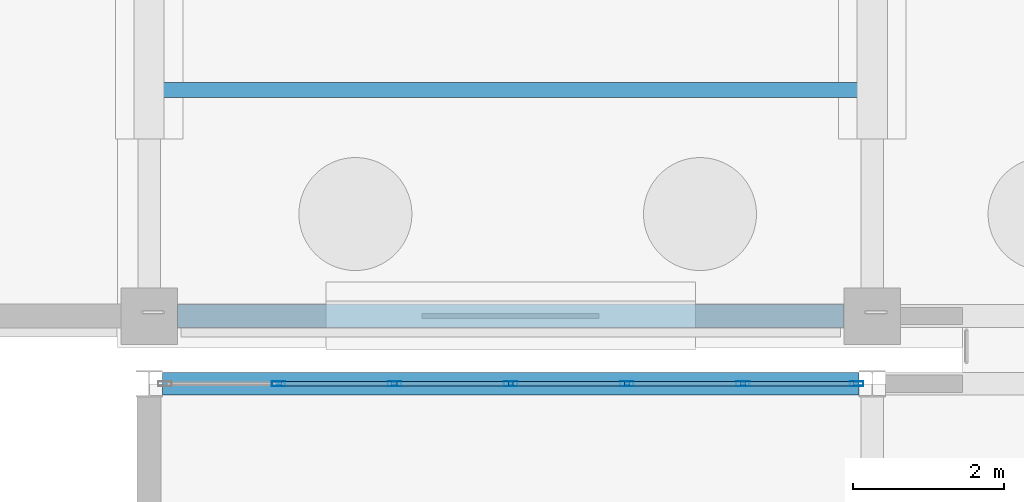
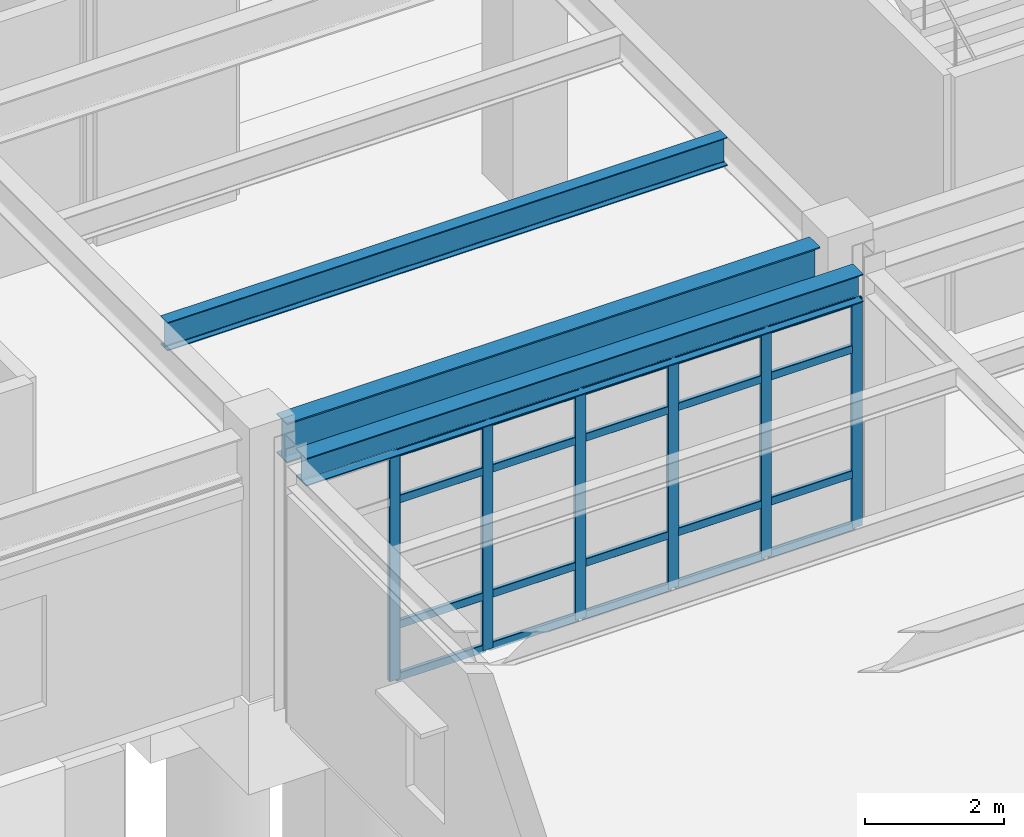
# One storey, part 36 of 139: 26 members, 3 beams, 1 element without a shape of its own.
"""IFC4 building model written with IfcOpenShell, lengths in metres."""

from ifc_helpers import new_model, si_unit, direction, frame, origin, origin_2d, place, context, subcontext, project, spatial, hollow_rectangle, i_section, extrude, material, material_profile, profile_set, type_object, element, aggregate, save


model = new_model("IFC4")

# Units and contexts
model_context = context("Model", 3, precision=1e-05, world=origin(), true_north=direction((0.0, 1.0)))
body_context = subcontext(model_context, "Body", "Model", "MODEL_VIEW")
ifc_project = project(units=[si_unit("LENGTHUNIT", "METRE"), si_unit("AREAUNIT", "SQUARE_METRE"), si_unit("VOLUMEUNIT", "CUBIC_METRE"), si_unit("PLANEANGLEUNIT", "RADIAN"), si_unit("MASSUNIT", "GRAM", prefix="KILO")], contexts=[model_context])

# Site, building, storey
site_placement = place(None, origin())
site = spatial("IfcSite", under=ifc_project, at=site_placement, CompositionType="ELEMENT")
building_placement = place(site_placement, origin())
building = spatial("IfcBuilding", under=site, at=building_placement, Name="Canglan Escarpment Cableway Terminal", CompositionType="ELEMENT")
storey_placement = place(building_placement, frame((0.0, 0.0, 14.39990234375)))
storey = spatial("IfcBuildingStorey", under=building, at=storey_placement, Name="L03", CompositionType="ELEMENT", Elevation=14.39990234375)

# Beams
ifc_material_1 = material(Name="Steel Q355B", Category="steel")
ifc_material_profile_1 = material_profile(ifc_material_1, i_section(OverallWidth=0.300048828125, OverallDepth=0.488037109375, WebThickness=0.010986328125, FlangeThickness=0.01806640625, FilletRadius=0.02587890625, at=origin_2d()), Name="HM 488x300x11x18")
ifc_profile_set_1 = profile_set([ifc_material_profile_1], Name="Steel Q355B")
beam_type_1 = type_object("IfcBeamType", Name="BM-HM488", PredefinedType="BEAM", material=ifc_profile_set_1)
beam_1_placement = place(storey_placement, frame((147.375, 33.10009765625, 4.256103515625), z_axis=(1.0, 0.0, 0.0), x_axis=(0.0, 1.0, 0.0)))
element("IfcBeam", 1, at=beam_1_placement, inside=storey, type_object=beam_type_1, Name="Primary structural girder B-09", PredefinedType="BEAM", context=body_context, shape_type="SweptSolid", body=[
    extrude(i_section(OverallWidth=0.300048828125, OverallDepth=0.488037109375, WebThickness=0.010986328125, FlangeThickness=0.01806640625, FilletRadius=0.02587890625, at=origin_2d()), origin(), (0.0, 0.0, 1.0), 9.25),
])
ifc_material_2 = material(Name="Steel Q355C", Category="steel")
ifc_material_profile_2 = material_profile(ifc_material_2, i_section(OverallWidth=0.300048828125, OverallDepth=0.699951171875, WebThickness=0.012939453125, FlangeThickness=0.02392578125, FilletRadius=0.028076171875, at=origin_2d()), Name="HN 700x300x13x24")
ifc_profile_set_2 = profile_set([ifc_material_profile_2], Name="Steel Q355C")
beam_type_2 = type_object("IfcBeamType", Name="BM-HN700", PredefinedType="BEAM", material=ifc_profile_set_2)
beam_2_placement = place(storey_placement, frame((147.574951171875, 34.0, 4.150146484375), z_axis=(1.0, 0.0, 0.0), x_axis=(0.0, 1.0, 0.0)))
element("IfcBeam", 2, at=beam_2_placement, inside=storey, type_object=beam_type_2, Name="Primary structural girder B-06", PredefinedType="BEAM", context=body_context, shape_type="SweptSolid", body=[
    extrude(i_section(OverallWidth=0.300048828125, OverallDepth=0.699951171875, WebThickness=0.012939453125, FlangeThickness=0.02392578125, FilletRadius=0.028076171875, at=origin_2d()), origin(), (0.0, 0.0, 1.0), 8.85009765625),
])

# Curtain wall, members
ifc_material_3 = material(Name="Anodized bronze aluminium and Low-E double glazing", Category="aluminium")
curtain_wall_type = type_object("IfcCurtainWallType", Name="CW-BAY-9250x4000", PredefinedType="NOTDEFINED", material=ifc_material_3)
curtain_wall_placement = place(storey_placement, origin())
curtain_wall = element("IfcCurtainWall", 3, at=curtain_wall_placement, inside=storey, type_object=curtain_wall_type, Name="Classical bay-between-piers glazed curtain wall CW-32", PredefinedType="NOTDEFINED")
ifc_material_4 = material(Name="Thermally broken anodized aluminium 6063-T6", Category="aluminium")
ifc_material_profile_3 = material_profile(ifc_material_4, hollow_rectangle(XDim=0.06494140625, YDim=0.179931640625, WallThickness=0.00390625, InnerFilletRadius=0.00390625, OuterFilletRadius=0.008056640625, at=origin_2d()), Name="ALU-MULL 65x180x4")
ifc_profile_set_3 = profile_set([ifc_material_profile_3], Name="Thermally broken anodized aluminium 6063-T6")
member_type_1 = type_object("IfcMemberType", Name="CWM-03", PredefinedType="MULLION", material=ifc_profile_set_3)
member_1_placement = place(storey_placement, frame((156.592529296875, 33.10009765625, 0.0), z_axis=(0.0, 0.0, 1.0), x_axis=(0.0, -1.0, 0.0)))
member_1 = element("IfcMember", 4, at=member_1_placement, type_object=member_type_1, Name="CW-32 mullion 1", PredefinedType="MULLION", context=body_context, shape_type="SweptSolid", body=[
    extrude(hollow_rectangle(XDim=0.06494140625, YDim=0.179931640625, WallThickness=0.00390625, InnerFilletRadius=0.00390625, OuterFilletRadius=0.008056640625, at=origin_2d()), origin(), (0.0, 0.0, 1.0), 3.9970703125),
])
member_2_placement = place(storey_placement, frame((155.083251953125, 33.10009765625, 0.0), z_axis=(0.0, 0.0, 1.0), x_axis=(0.0, -1.0, 0.0)))
member_2 = element("IfcMember", 5, at=member_2_placement, type_object=member_type_1, Name="CW-32 mullion 2", PredefinedType="MULLION", context=body_context, shape_type="SweptSolid", body=[
    extrude(hollow_rectangle(XDim=0.06494140625, YDim=0.179931640625, WallThickness=0.00390625, InnerFilletRadius=0.00390625, OuterFilletRadius=0.008056640625, at=origin_2d()), origin(), (0.0, 0.0, 1.0), 3.9970703125),
])
member_3_placement = place(storey_placement, frame((153.541748046875, 33.10009765625, 0.0), z_axis=(0.0, 0.0, 1.0), x_axis=(0.0, -1.0, 0.0)))
member_3 = element("IfcMember", 6, at=member_3_placement, type_object=member_type_1, Name="CW-32 mullion 3", PredefinedType="MULLION", context=body_context, shape_type="SweptSolid", body=[
    extrude(hollow_rectangle(XDim=0.06494140625, YDim=0.179931640625, WallThickness=0.00390625, InnerFilletRadius=0.00390625, OuterFilletRadius=0.008056640625, at=origin_2d()), origin(), (0.0, 0.0, 1.0), 3.9970703125),
])
member_4_placement = place(storey_placement, frame((152.0, 33.10009765625, 0.0), z_axis=(0.0, 0.0, 1.0), x_axis=(0.0, -1.0, 0.0)))
member_4 = element("IfcMember", 7, at=member_4_placement, type_object=member_type_1, Name="CW-32 mullion 4", PredefinedType="MULLION", context=body_context, shape_type="SweptSolid", body=[
    extrude(hollow_rectangle(XDim=0.06494140625, YDim=0.179931640625, WallThickness=0.00390625, InnerFilletRadius=0.00390625, OuterFilletRadius=0.008056640625, at=origin_2d()), origin(), (0.0, 0.0, 1.0), 3.9970703125),
])
member_5_placement = place(storey_placement, frame((150.458251953125, 33.10009765625, 0.0), z_axis=(0.0, 0.0, 1.0), x_axis=(0.0, -1.0, 0.0)))
member_5 = element("IfcMember", 8, at=member_5_placement, type_object=member_type_1, Name="CW-32 mullion 5", PredefinedType="MULLION", context=body_context, shape_type="SweptSolid", body=[
    extrude(hollow_rectangle(XDim=0.06494140625, YDim=0.179931640625, WallThickness=0.00390625, InnerFilletRadius=0.00390625, OuterFilletRadius=0.008056640625, at=origin_2d()), origin(), (0.0, 0.0, 1.0), 3.9970703125),
])
member_6_placement = place(storey_placement, frame((148.916748046875, 33.10009765625, 0.0), z_axis=(0.0, 0.0, 1.0), x_axis=(0.0, -1.0, 0.0)))
member_6 = element("IfcMember", 9, at=member_6_placement, type_object=member_type_1, Name="CW-32 mullion 6", PredefinedType="MULLION", context=body_context, shape_type="SweptSolid", body=[
    extrude(hollow_rectangle(XDim=0.06494140625, YDim=0.179931640625, WallThickness=0.00390625, InnerFilletRadius=0.00390625, OuterFilletRadius=0.008056640625, at=origin_2d()), origin(), (0.0, 0.0, 1.0), 3.9970703125),
])
ifc_material_profile_4 = material_profile(ifc_material_4, hollow_rectangle(XDim=0.06494140625, YDim=0.139892578125, WallThickness=0.00341796875, InnerFilletRadius=0.00341796875, OuterFilletRadius=0.007080078125, at=origin_2d()), Name="ALU-TRAN 65x140x3.5")
ifc_profile_set_4 = profile_set([ifc_material_profile_4], Name="Thermally broken anodized aluminium 6063-T6")
member_type_2 = type_object("IfcMemberType", Name="CWT-03", PredefinedType="USERDEFINED", material=ifc_profile_set_4)
member_7_placement = place(storey_placement, frame((156.56005859375, 33.10009765625, 0.03271484375), z_axis=(-1.0, 0.0, 0.0), x_axis=(0.0, -1.0, 0.0)))
member_7 = element("IfcMember", 10, at=member_7_placement, type_object=member_type_2, Name="CW-32 transom 1.1", ObjectType="TRANSOM", PredefinedType="USERDEFINED", context=body_context, shape_type="SweptSolid", body=[
    extrude(hollow_rectangle(XDim=0.06494140625, YDim=0.139892578125, WallThickness=0.00341796875, InnerFilletRadius=0.00341796875, OuterFilletRadius=0.007080078125, at=origin_2d()), origin(), (0.0, 0.0, 1.0), 1.4443359375),
])
member_8_placement = place(storey_placement, frame((156.56005859375, 33.10009765625, 0.9501953125), z_axis=(-1.0, 0.0, 0.0), x_axis=(0.0, -1.0, 0.0)))
member_8 = element("IfcMember", 11, at=member_8_placement, type_object=member_type_2, Name="CW-32 transom 1.2", ObjectType="TRANSOM", PredefinedType="USERDEFINED", context=body_context, shape_type="SweptSolid", body=[
    extrude(hollow_rectangle(XDim=0.06494140625, YDim=0.139892578125, WallThickness=0.00341796875, InnerFilletRadius=0.00341796875, OuterFilletRadius=0.007080078125, at=origin_2d()), origin(), (0.0, 0.0, 1.0), 1.4443359375),
])
member_9_placement = place(storey_placement, frame((156.56005859375, 33.10009765625, 3.147216796875), z_axis=(-1.0, 0.0, 0.0), x_axis=(0.0, -1.0, 0.0)))
member_9 = element("IfcMember", 12, at=member_9_placement, type_object=member_type_2, Name="CW-32 transom 1.3", ObjectType="TRANSOM", PredefinedType="USERDEFINED", context=body_context, shape_type="SweptSolid", body=[
    extrude(hollow_rectangle(XDim=0.06494140625, YDim=0.139892578125, WallThickness=0.00341796875, InnerFilletRadius=0.00341796875, OuterFilletRadius=0.007080078125, at=origin_2d()), origin(), (0.0, 0.0, 1.0), 1.4443359375),
])
member_10_placement = place(storey_placement, frame((156.56005859375, 33.10009765625, 3.964599609375), z_axis=(-1.0, 0.0, 0.0), x_axis=(0.0, -1.0, 0.0)))
member_10 = element("IfcMember", 13, at=member_10_placement, type_object=member_type_2, Name="CW-32 transom 1.4", ObjectType="TRANSOM", PredefinedType="USERDEFINED", context=body_context, shape_type="SweptSolid", body=[
    extrude(hollow_rectangle(XDim=0.06494140625, YDim=0.139892578125, WallThickness=0.00341796875, InnerFilletRadius=0.00341796875, OuterFilletRadius=0.007080078125, at=origin_2d()), origin(), (0.0, 0.0, 1.0), 1.4443359375),
])
member_11_placement = place(storey_placement, frame((155.05078125, 33.10009765625, 0.03271484375), z_axis=(-1.0, 0.0, 0.0), x_axis=(0.0, -1.0, 0.0)))
member_11 = element("IfcMember", 14, at=member_11_placement, type_object=member_type_2, Name="CW-32 transom 2.1", ObjectType="TRANSOM", PredefinedType="USERDEFINED", context=body_context, shape_type="SweptSolid", body=[
    extrude(hollow_rectangle(XDim=0.06494140625, YDim=0.139892578125, WallThickness=0.00341796875, InnerFilletRadius=0.00341796875, OuterFilletRadius=0.007080078125, at=origin_2d()), origin(), (0.0, 0.0, 1.0), 1.4765625),
])
member_12_placement = place(storey_placement, frame((155.05078125, 33.10009765625, 0.9501953125), z_axis=(-1.0, 0.0, 0.0), x_axis=(0.0, -1.0, 0.0)))
member_12 = element("IfcMember", 15, at=member_12_placement, type_object=member_type_2, Name="CW-32 transom 2.2", ObjectType="TRANSOM", PredefinedType="USERDEFINED", context=body_context, shape_type="SweptSolid", body=[
    extrude(hollow_rectangle(XDim=0.06494140625, YDim=0.139892578125, WallThickness=0.00341796875, InnerFilletRadius=0.00341796875, OuterFilletRadius=0.007080078125, at=origin_2d()), origin(), (0.0, 0.0, 1.0), 1.4765625),
])
member_13_placement = place(storey_placement, frame((155.05078125, 33.10009765625, 3.147216796875), z_axis=(-1.0, 0.0, 0.0), x_axis=(0.0, -1.0, 0.0)))
member_13 = element("IfcMember", 16, at=member_13_placement, type_object=member_type_2, Name="CW-32 transom 2.3", ObjectType="TRANSOM", PredefinedType="USERDEFINED", context=body_context, shape_type="SweptSolid", body=[
    extrude(hollow_rectangle(XDim=0.06494140625, YDim=0.139892578125, WallThickness=0.00341796875, InnerFilletRadius=0.00341796875, OuterFilletRadius=0.007080078125, at=origin_2d()), origin(), (0.0, 0.0, 1.0), 1.4765625),
])
member_14_placement = place(storey_placement, frame((155.05078125, 33.10009765625, 3.964599609375), z_axis=(-1.0, 0.0, 0.0), x_axis=(0.0, -1.0, 0.0)))
member_14 = element("IfcMember", 17, at=member_14_placement, type_object=member_type_2, Name="CW-32 transom 2.4", ObjectType="TRANSOM", PredefinedType="USERDEFINED", context=body_context, shape_type="SweptSolid", body=[
    extrude(hollow_rectangle(XDim=0.06494140625, YDim=0.139892578125, WallThickness=0.00341796875, InnerFilletRadius=0.00341796875, OuterFilletRadius=0.007080078125, at=origin_2d()), origin(), (0.0, 0.0, 1.0), 1.4765625),
])
member_15_placement = place(storey_placement, frame((153.50927734375, 33.10009765625, 0.03271484375), z_axis=(-1.0, 0.0, 0.0), x_axis=(0.0, -1.0, 0.0)))
member_15 = element("IfcMember", 18, at=member_15_placement, type_object=member_type_2, Name="CW-32 transom 3.1", ObjectType="TRANSOM", PredefinedType="USERDEFINED", context=body_context, shape_type="SweptSolid", body=[
    extrude(hollow_rectangle(XDim=0.06494140625, YDim=0.139892578125, WallThickness=0.00341796875, InnerFilletRadius=0.00341796875, OuterFilletRadius=0.007080078125, at=origin_2d()), origin(), (0.0, 0.0, 1.0), 1.476806640625),
])
member_16_placement = place(storey_placement, frame((153.50927734375, 33.10009765625, 0.9501953125), z_axis=(-1.0, 0.0, 0.0), x_axis=(0.0, -1.0, 0.0)))
member_16 = element("IfcMember", 19, at=member_16_placement, type_object=member_type_2, Name="CW-32 transom 3.2", ObjectType="TRANSOM", PredefinedType="USERDEFINED", context=body_context, shape_type="SweptSolid", body=[
    extrude(hollow_rectangle(XDim=0.06494140625, YDim=0.139892578125, WallThickness=0.00341796875, InnerFilletRadius=0.00341796875, OuterFilletRadius=0.007080078125, at=origin_2d()), origin(), (0.0, 0.0, 1.0), 1.476806640625),
])
member_17_placement = place(storey_placement, frame((153.50927734375, 33.10009765625, 3.147216796875), z_axis=(-1.0, 0.0, 0.0), x_axis=(0.0, -1.0, 0.0)))
member_17 = element("IfcMember", 20, at=member_17_placement, type_object=member_type_2, Name="CW-32 transom 3.3", ObjectType="TRANSOM", PredefinedType="USERDEFINED", context=body_context, shape_type="SweptSolid", body=[
    extrude(hollow_rectangle(XDim=0.06494140625, YDim=0.139892578125, WallThickness=0.00341796875, InnerFilletRadius=0.00341796875, OuterFilletRadius=0.007080078125, at=origin_2d()), origin(), (0.0, 0.0, 1.0), 1.476806640625),
])
member_18_placement = place(storey_placement, frame((153.50927734375, 33.10009765625, 3.964599609375), z_axis=(-1.0, 0.0, 0.0), x_axis=(0.0, -1.0, 0.0)))
member_18 = element("IfcMember", 21, at=member_18_placement, type_object=member_type_2, Name="CW-32 transom 3.4", ObjectType="TRANSOM", PredefinedType="USERDEFINED", context=body_context, shape_type="SweptSolid", body=[
    extrude(hollow_rectangle(XDim=0.06494140625, YDim=0.139892578125, WallThickness=0.00341796875, InnerFilletRadius=0.00341796875, OuterFilletRadius=0.007080078125, at=origin_2d()), origin(), (0.0, 0.0, 1.0), 1.476806640625),
])
member_19_placement = place(storey_placement, frame((151.967529296875, 33.10009765625, 0.03271484375), z_axis=(-1.0, 0.0, 0.0), x_axis=(0.0, -1.0, 0.0)))
member_19 = element("IfcMember", 22, at=member_19_placement, type_object=member_type_2, Name="CW-32 transom 4.1", ObjectType="TRANSOM", PredefinedType="USERDEFINED", context=body_context, shape_type="SweptSolid", body=[
    extrude(hollow_rectangle(XDim=0.06494140625, YDim=0.139892578125, WallThickness=0.00341796875, InnerFilletRadius=0.00341796875, OuterFilletRadius=0.007080078125, at=origin_2d()), origin(), (0.0, 0.0, 1.0), 1.476806640625),
])
member_20_placement = place(storey_placement, frame((151.967529296875, 33.10009765625, 0.9501953125), z_axis=(-1.0, 0.0, 0.0), x_axis=(0.0, -1.0, 0.0)))
member_20 = element("IfcMember", 23, at=member_20_placement, type_object=member_type_2, Name="CW-32 transom 4.2", ObjectType="TRANSOM", PredefinedType="USERDEFINED", context=body_context, shape_type="SweptSolid", body=[
    extrude(hollow_rectangle(XDim=0.06494140625, YDim=0.139892578125, WallThickness=0.00341796875, InnerFilletRadius=0.00341796875, OuterFilletRadius=0.007080078125, at=origin_2d()), origin(), (0.0, 0.0, 1.0), 1.476806640625),
])
member_21_placement = place(storey_placement, frame((151.967529296875, 33.10009765625, 3.147216796875), z_axis=(-1.0, 0.0, 0.0), x_axis=(0.0, -1.0, 0.0)))
member_21 = element("IfcMember", 24, at=member_21_placement, type_object=member_type_2, Name="CW-32 transom 4.3", ObjectType="TRANSOM", PredefinedType="USERDEFINED", context=body_context, shape_type="SweptSolid", body=[
    extrude(hollow_rectangle(XDim=0.06494140625, YDim=0.139892578125, WallThickness=0.00341796875, InnerFilletRadius=0.00341796875, OuterFilletRadius=0.007080078125, at=origin_2d()), origin(), (0.0, 0.0, 1.0), 1.476806640625),
])
member_22_placement = place(storey_placement, frame((151.967529296875, 33.10009765625, 3.964599609375), z_axis=(-1.0, 0.0, 0.0), x_axis=(0.0, -1.0, 0.0)))
member_22 = element("IfcMember", 25, at=member_22_placement, type_object=member_type_2, Name="CW-32 transom 4.4", ObjectType="TRANSOM", PredefinedType="USERDEFINED", context=body_context, shape_type="SweptSolid", body=[
    extrude(hollow_rectangle(XDim=0.06494140625, YDim=0.139892578125, WallThickness=0.00341796875, InnerFilletRadius=0.00341796875, OuterFilletRadius=0.007080078125, at=origin_2d()), origin(), (0.0, 0.0, 1.0), 1.476806640625),
])
member_23_placement = place(storey_placement, frame((150.42578125, 33.10009765625, 0.03271484375), z_axis=(-1.0, 0.0, 0.0), x_axis=(0.0, -1.0, 0.0)))
member_23 = element("IfcMember", 26, at=member_23_placement, type_object=member_type_2, Name="CW-32 transom 5.1", ObjectType="TRANSOM", PredefinedType="USERDEFINED", context=body_context, shape_type="SweptSolid", body=[
    extrude(hollow_rectangle(XDim=0.06494140625, YDim=0.139892578125, WallThickness=0.00341796875, InnerFilletRadius=0.00341796875, OuterFilletRadius=0.007080078125, at=origin_2d()), origin(), (0.0, 0.0, 1.0), 1.4765625),
])
member_24_placement = place(storey_placement, frame((150.42578125, 33.10009765625, 0.9501953125), z_axis=(-1.0, 0.0, 0.0), x_axis=(0.0, -1.0, 0.0)))
member_24 = element("IfcMember", 27, at=member_24_placement, type_object=member_type_2, Name="CW-32 transom 5.2", ObjectType="TRANSOM", PredefinedType="USERDEFINED", context=body_context, shape_type="SweptSolid", body=[
    extrude(hollow_rectangle(XDim=0.06494140625, YDim=0.139892578125, WallThickness=0.00341796875, InnerFilletRadius=0.00341796875, OuterFilletRadius=0.007080078125, at=origin_2d()), origin(), (0.0, 0.0, 1.0), 1.4765625),
])
member_25_placement = place(storey_placement, frame((150.42578125, 33.10009765625, 3.147216796875), z_axis=(-1.0, 0.0, 0.0), x_axis=(0.0, -1.0, 0.0)))
member_25 = element("IfcMember", 28, at=member_25_placement, type_object=member_type_2, Name="CW-32 transom 5.3", ObjectType="TRANSOM", PredefinedType="USERDEFINED", context=body_context, shape_type="SweptSolid", body=[
    extrude(hollow_rectangle(XDim=0.06494140625, YDim=0.139892578125, WallThickness=0.00341796875, InnerFilletRadius=0.00341796875, OuterFilletRadius=0.007080078125, at=origin_2d()), origin(), (0.0, 0.0, 1.0), 1.4765625),
])
member_26_placement = place(storey_placement, frame((150.42578125, 33.10009765625, 3.964599609375), z_axis=(-1.0, 0.0, 0.0), x_axis=(0.0, -1.0, 0.0)))
member_26 = element("IfcMember", 29, at=member_26_placement, type_object=member_type_2, Name="CW-32 transom 5.4", ObjectType="TRANSOM", PredefinedType="USERDEFINED", context=body_context, shape_type="SweptSolid", body=[
    extrude(hollow_rectangle(XDim=0.06494140625, YDim=0.139892578125, WallThickness=0.00341796875, InnerFilletRadius=0.00341796875, OuterFilletRadius=0.007080078125, at=origin_2d()), origin(), (0.0, 0.0, 1.0), 1.4765625),
])
aggregate(curtain_wall, [member_1, member_2, member_3, member_4, member_5, member_6, member_7, member_8, member_9, member_10, member_11, member_12, member_13, member_14, member_15, member_16, member_17, member_18, member_19, member_20, member_21, member_22, member_23, member_24, member_25, member_26])

# Beam
ifc_material_profile_5 = material_profile(ifc_material_1, i_section(OverallWidth=0.199951171875, OverallDepth=0.5, WebThickness=0.010009765625, FlangeThickness=0.01611328125, FilletRadius=0.02001953125, at=origin_2d()), Name="HN 500x200x10x16")
ifc_profile_set_5 = profile_set([ifc_material_profile_5], Name="Steel Q355B")
beam_type_3 = type_object("IfcBeamType", Name="JS-HN500", PredefinedType="JOIST", material=ifc_profile_set_5)
beam_3_placement = place(storey_placement, frame((147.35107421875, 37.0, 4.25), z_axis=(1.0, 0.0, 0.0), x_axis=(0.0, 1.0, 0.0)))
element("IfcBeam", 30, at=beam_3_placement, inside=storey, type_object=beam_type_3, Name="Secondary composite deck joist J-01", PredefinedType="JOIST", context=body_context, shape_type="SweptSolid", body=[
    extrude(i_section(OverallWidth=0.199951171875, OverallDepth=0.5, WebThickness=0.010009765625, FlangeThickness=0.01611328125, FilletRadius=0.02001953125, at=origin_2d()), origin(), (0.0, 0.0, 1.0), 9.2978515625),
])

save(model, "model.ifc")
